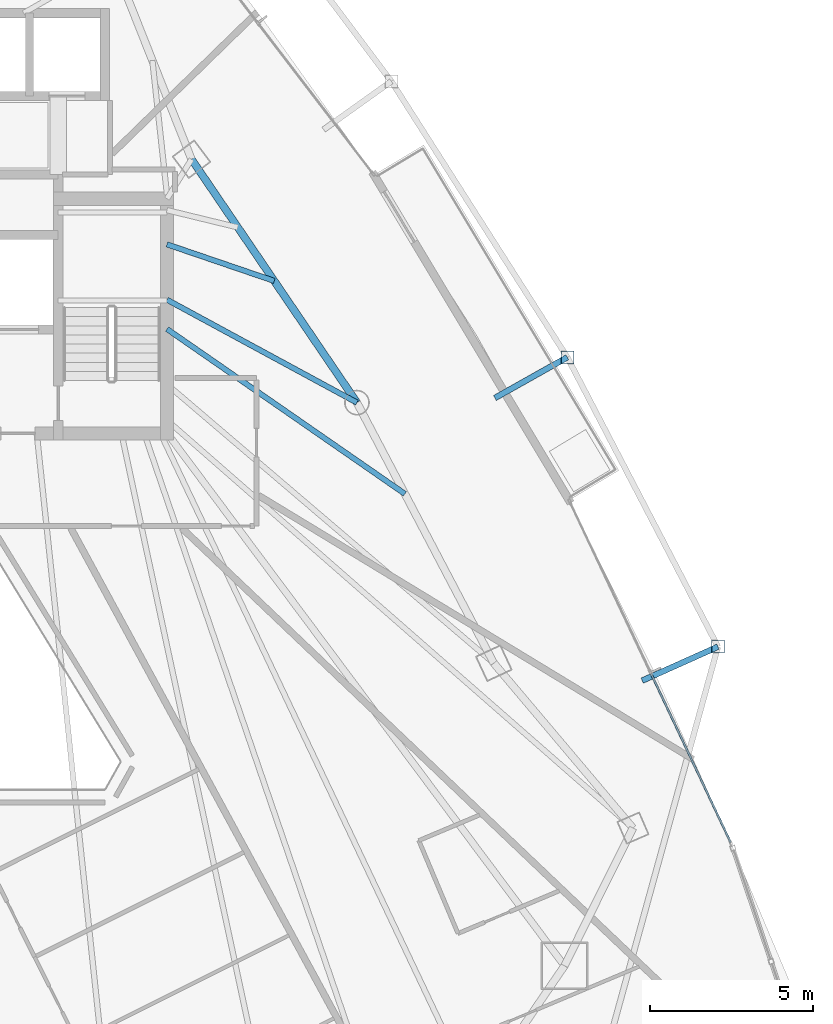
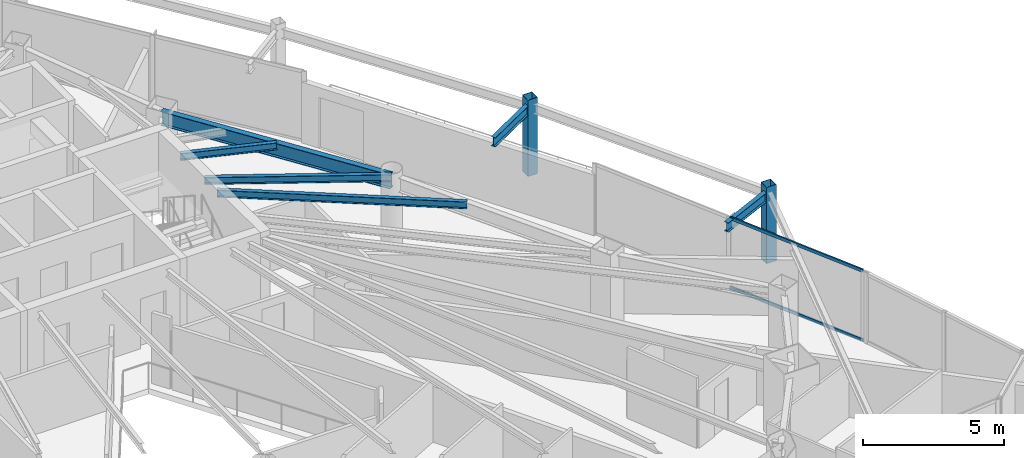
# One storey, part 16 of 31: 6 beams, 4 members, 1 element without a shape of its own.
"""IFC4 building model written with IfcOpenShell, lengths in metres."""

from ifc_helpers import new_model, si_unit, direction, frame, origin, origin_2d, place, context, subcontext, project, spatial, hollow_rectangle, i_section, extrude, material, layer, layer_set, material_profile, profile_set, type_object, element, aggregate, save


model = new_model("IFC4")

# Units and contexts
model_context = context("Model", 3, precision=1e-05, world=origin(), true_north=direction((0.0, 1.0)))
body_context = subcontext(model_context, "Body", "Model", "MODEL_VIEW")
ifc_project = project(units=[si_unit("LENGTHUNIT", "METRE"), si_unit("AREAUNIT", "SQUARE_METRE"), si_unit("VOLUMEUNIT", "CUBIC_METRE"), si_unit("PLANEANGLEUNIT", "RADIAN"), si_unit("MASSUNIT", "GRAM", prefix="KILO")], contexts=[model_context])

# Site, building, storey
site_placement = place(None, origin())
site = spatial("IfcSite", under=ifc_project, at=site_placement, CompositionType="ELEMENT")
building_placement = place(site_placement, origin())
building = spatial("IfcBuilding", under=site, at=building_placement, Name="Orvanel Arch Residences", CompositionType="ELEMENT")
storey_placement = place(building_placement, frame((0.0, 0.0, 110.0)))
storey = spatial("IfcBuildingStorey", under=building, at=storey_placement, Name="L30", CompositionType="ELEMENT", Elevation=110.0)

# Beams
ifc_material_1 = material(Name="Structural steel AS/NZS 3679.1 Grade 300 (300 MPa)", Category="steel")
ifc_material_profile_1 = material_profile(ifc_material_1, i_section(OverallWidth=0.1650390625, OverallDepth=0.303955078125, WebThickness=0.006103515625, FlangeThickness=0.01025390625, at=origin_2d()), Name="310UB40.4")
ifc_profile_set_1 = profile_set([ifc_material_profile_1], Name="Structural steel AS/NZS 3679.1 Grade 300 (300 MPa)")
beam_type_1 = type_object("IfcBeamType", Name="BJ-310UB", PredefinedType="JOIST", material=ifc_profile_set_1)
beam_1_placement = place(storey_placement, frame((39.60009765625, 30.800048828125, 2.907958984375), z_axis=(0.87925534649, -0.476350748576, 0.0), x_axis=(0.476350748576, 0.87925534649, 0.0)))
element("IfcBeam", 1, at=beam_1_placement, inside=storey, type_object=beam_type_1, Name="L30 NE Wing Floor Joist", PredefinedType="JOIST", context=body_context, shape_type="SweptSolid", body=[
    extrude(i_section(OverallWidth=0.1650390625, OverallDepth=0.303955078125, WebThickness=0.006103515625, FlangeThickness=0.01025390625, at=origin_2d()), origin(), (0.0, 0.0, 1.0), 6.631591796875),
])
beam_2_placement = place(storey_placement, frame((39.60009765625, 32.5, 2.907958984375), z_axis=(0.9464126781, -0.322959815969, 0.0), x_axis=(0.322959815969, 0.9464126781, 0.0)))
element("IfcBeam", 2, at=beam_2_placement, inside=storey, type_object=beam_type_1, Name="L30 ENE Wing Floor Joist", PredefinedType="JOIST", context=body_context, shape_type="SweptSolid", body=[
    extrude(i_section(OverallWidth=0.1650390625, OverallDepth=0.303955078125, WebThickness=0.006103515625, FlangeThickness=0.01025390625, at=origin_2d()), origin(), (0.0, 0.0, 1.0), 3.477294921875),
])
beam_3_placement = place(storey_placement, frame((39.60009765625, 29.89990234375, 2.907958984375), z_axis=(0.822002180325, -0.569484341787, 0.0), x_axis=(0.569484341787, 0.822002180325, 0.0)))
element("IfcBeam", 3, at=beam_3_placement, inside=storey, type_object=beam_type_1, Name="L30 CTE Wing Floor Joist", PredefinedType="JOIST", context=body_context, shape_type="SweptSolid", body=[
    extrude(i_section(OverallWidth=0.1650390625, OverallDepth=0.303955078125, WebThickness=0.006103515625, FlangeThickness=0.01025390625, at=origin_2d()), origin(), (0.0, 0.0, 1.0), 8.88330078125),
])
ifc_material_profile_2 = material_profile(ifc_material_1, i_section(OverallWidth=0.177978515625, OverallDepth=0.406005859375, WebThickness=0.0078125, FlangeThickness=0.0126953125, at=origin_2d()), Name="410UB59.7")
ifc_profile_set_2 = profile_set([ifc_material_profile_2], Name="Structural steel AS/NZS 3679.1 Grade 300 (300 MPa)")
beam_type_2 = type_object("IfcBeamType", Name="OB-410UB-EXT", PredefinedType="SPANDREL", material=ifc_profile_set_2)
beam_4_placement = place(storey_placement, frame((54.18701171875, 19.10595703125, 2.85693359375), z_axis=(0.912527808644, 0.409014667771, 0.0), x_axis=(-0.409014667771, 0.912527808644, 0.0)))
element("IfcBeam", 4, at=beam_4_placement, inside=storey, type_object=beam_type_2, Name="L30 Outer Frame Radial Tie Beam 09", PredefinedType="SPANDREL", context=body_context, shape_type="SweptSolid", body=[
    extrude(i_section(OverallWidth=0.177978515625, OverallDepth=0.406005859375, WebThickness=0.0078125, FlangeThickness=0.0126953125, at=origin_2d()), origin(), (0.0, 0.0, 1.0), 2.550048828125),
])
beam_5_placement = place(storey_placement, frame((49.666015625, 27.782958984375, 2.85693359375), z_axis=(0.871639445711, 0.490147607034, 0.0), x_axis=(-0.490147607034, 0.871639445711, 0.0)))
element("IfcBeam", 5, at=beam_5_placement, inside=storey, type_object=beam_type_2, Name="L30 Outer Frame Radial Tie Beam 10", PredefinedType="SPANDREL", context=body_context, shape_type="SweptSolid", body=[
    extrude(i_section(OverallWidth=0.177978515625, OverallDepth=0.406005859375, WebThickness=0.0078125, FlangeThickness=0.0126953125, at=origin_2d()), origin(), (0.0, 0.0, 1.0), 2.55029296875),
])
ifc_material_profile_3 = material_profile(ifc_material_1, i_section(OverallWidth=0.22900390625, OverallDepth=0.612060546875, WebThickness=0.011962890625, FlangeThickness=0.01953125, at=origin_2d()), Name="610UB125")
ifc_profile_set_3 = profile_set([ifc_material_profile_3], Name="Structural steel AS/NZS 3679.1 Grade 300 (300 MPa)")
beam_type_3 = type_object("IfcBeamType", Name="SP-610UB", PredefinedType="SPANDREL", material=ifc_profile_set_3)
beam_6_placement = place(storey_placement, frame((45.430908203125, 27.64111328125, 2.75390625), z_axis=(-0.562154793153, 0.827032035978, 0.0), x_axis=(-0.827032035978, -0.562154793153, 0.0)))
element("IfcBeam", 6, at=beam_6_placement, inside=storey, type_object=beam_type_3, Name="L30 Perimeter Spandrel Beam 12", PredefinedType="SPANDREL", context=body_context, shape_type="SweptSolid", body=[
    extrude(i_section(OverallWidth=0.22900390625, OverallDepth=0.612060546875, WebThickness=0.011962890625, FlangeThickness=0.01953125, at=origin_2d()), origin(), (0.0, 0.0, 1.0), 9.03466796875),
])

# Members
ifc_material_2 = material(Name="Structural steel AS/NZS 1163 C450L0 (Grade 450)", Category="steel")
ifc_material_profile_4 = material_profile(ifc_material_2, hollow_rectangle(XDim=0.39990234375, YDim=0.39990234375, WallThickness=0.01611328125, at=origin_2d()), Name="SHS400x400x16")
ifc_profile_set_4 = profile_set([ifc_material_profile_4], Name="Structural steel AS/NZS 1163 C450L0 (Grade 450)")
member_type_1 = type_object("IfcMemberType", Name="ST-400SHS-EXT", PredefinedType="STRUT", material=ifc_profile_set_4)
for number, where, z_axis, x_axis, name in (
    (7, (56.513916015625, 20.14892578125, 0.0), (0.0, 0.0, 1.0), (1.0, 0.0, 0.0), "L30 Outer Perimeter Frame Post 09"),
    (8, (51.888916015625, 29.032958984375, 0.0), (0.0, 0.0, 1.0), (1.0, 0.0, 0.0), "L30 Outer Perimeter Frame Post 10"),
):
    element("IfcMember", number, at=place(storey_placement, frame(where, z_axis=z_axis, x_axis=x_axis)), inside=storey, type_object=member_type_1, Name=name, PredefinedType="STRUT", context=body_context, shape_type="SweptSolid", body=[
        extrude(hollow_rectangle(XDim=0.39990234375, YDim=0.39990234375, WallThickness=0.01611328125, at=origin_2d()), origin(), (0.0, 0.0, 1.0), 3.300048828125),
    ])

# Curtain wall, members
ifc_material_3 = material(Name="Bronze-anodised aluminium AA6063-T6", Category="aluminium")
ifc_layer = layer(ifc_material_3, 0.179931640625)
ifc_layer_set = layer_set([ifc_layer], Name="Bronze-anodised aluminium AA6063-T6")
curtain_wall_type = type_object("IfcCurtainWallType", Name="CW3-MID-SYS", PredefinedType="NOTDEFINED", material=ifc_layer_set)
curtain_wall_placement = place(storey_placement, origin())
curtain_wall = element("IfcCurtainWall", 9, at=curtain_wall_placement, inside=storey, type_object=curtain_wall_type, Name="L30 CW3-MID-SYS Unitised Curtain Wall", PredefinedType="NOTDEFINED")
ifc_material_profile_5 = material_profile(ifc_material_3, hollow_rectangle(XDim=0.06005859375, YDim=0.135009765625, WallThickness=0.00390625, at=origin_2d()), Name="ALU135x60x4")
ifc_profile_set_5 = profile_set([ifc_material_profile_5], Name="Bronze-anodised aluminium AA6063-T6")
member_type_2 = type_object("IfcMemberType", Name="TRN-135x60", PredefinedType="USERDEFINED", material=ifc_profile_set_5)
member_1_placement = place(storey_placement, frame((56.903076171875, 14.139404296875, 0.030029296875), z_axis=(-0.42661999141, 0.904430971898, 0.0), x_axis=(-0.904430971898, -0.42661999141, 0.0)))
member_1 = element("IfcMember", 10, at=member_1_placement, type_object=member_type_2, Name="CW-S3 transom 1.1", ObjectType="TRANSOM", PredefinedType="USERDEFINED", context=body_context, shape_type="SweptSolid", body=[
    extrude(hollow_rectangle(XDim=0.06005859375, YDim=0.135009765625, WallThickness=0.00390625, at=origin_2d()), origin(), (0.0, 0.0, 1.0), 5.727783203125),
])
member_2_placement = place(storey_placement, frame((56.903076171875, 14.139404296875, 3.030029296875), z_axis=(-0.42661999141, 0.904430971898, 0.0), x_axis=(-0.904430971898, -0.42661999141, 0.0)))
member_2 = element("IfcMember", 11, at=member_2_placement, type_object=member_type_2, Name="CW-S3 transom 1.2", ObjectType="TRANSOM", PredefinedType="USERDEFINED", context=body_context, shape_type="SweptSolid", body=[
    extrude(hollow_rectangle(XDim=0.06005859375, YDim=0.135009765625, WallThickness=0.00390625, at=origin_2d()), origin(), (0.0, 0.0, 1.0), 5.727783203125),
])
aggregate(curtain_wall, [member_1, member_2])

save(model, "model.ifc")
